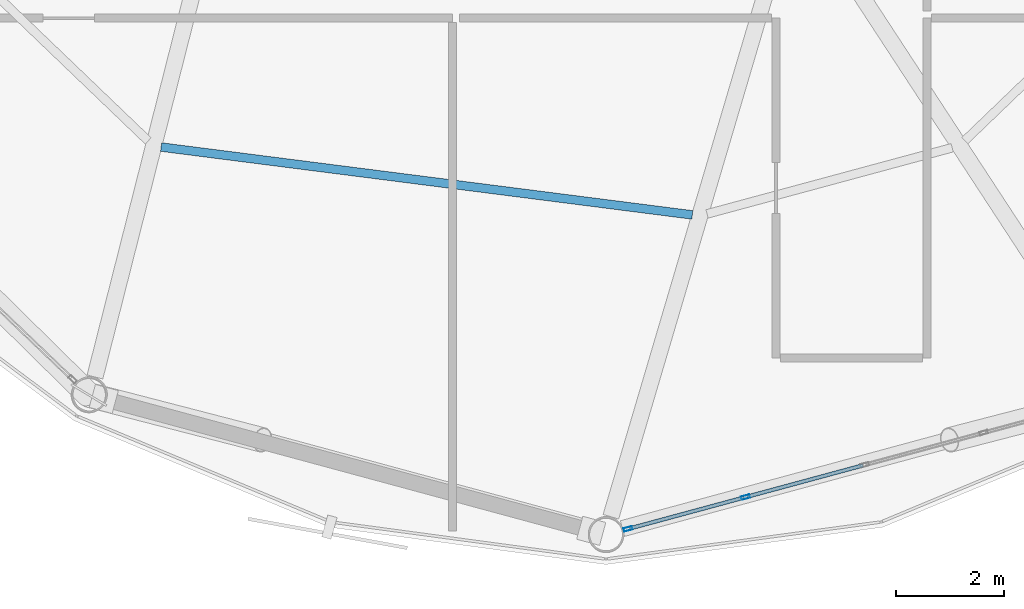
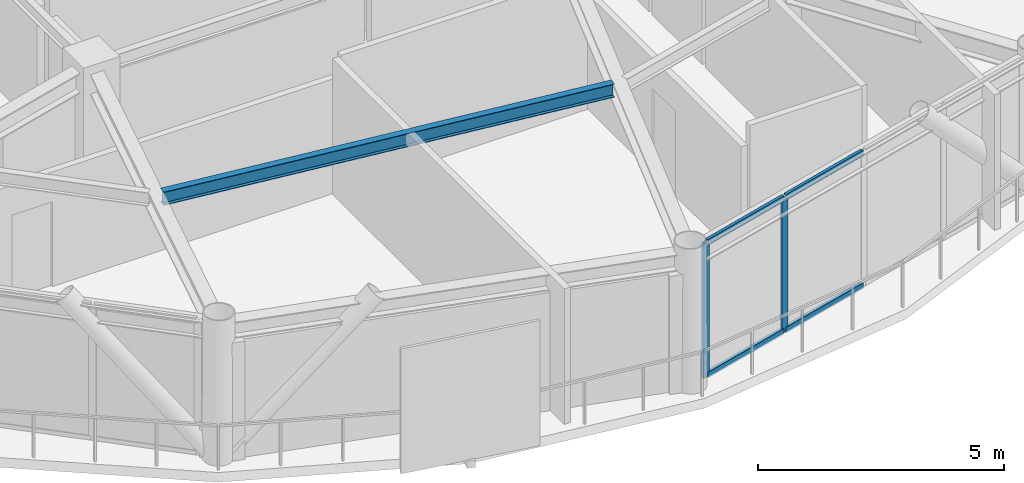
# One storey, part 7 of 28: 6 members, 1 beam, 1 element without a shape of its own.
"""IFC4 building model written with IfcOpenShell, lengths in metres."""

import ifcopenshell
import ifcopenshell.guid

model = None  # the IFC model being written
_history = None  # IfcOwnerHistory: only IFC2X3 demands one
_inside = {}  # id of a spatial element -> (the spatial element, [elements in it])
_under = {}  # id of a project, library or spatial element -> (it, [spatial elements below it])
_declared = {}  # id of a project -> (the project, [libraries it declares])
_typed = {}  # id of a type object -> (the type object, [elements of that type])
_made_of = {}  # id of a material, layer set ... -> (it, [elements and type objects made of it])


def new_model(schema):
    """Start an empty IFC model of exactly this schema.

    Asked for "IFC4X3", IfcOpenShell would pick the latest addendum, in which some entities
    have other attributes; the version numbers below select the first issue.
    IFC2X3 requires an IfcOwnerHistory on every rooted entity: one is made here for all.
    """
    global model, _history
    if schema == "IFC4X3":
        model = ifcopenshell.file(schema_version=(4, 3, 0, 0))
    else:
        model = ifcopenshell.file(schema=schema)
    _inside.clear()
    _under.clear()
    _declared.clear()
    _typed.clear()
    _made_of.clear()
    _history = None
    if model.schema == "IFC2X3":
        org = make("IfcOrganization", Name="unknown")
        user = make(
            "IfcPersonAndOrganization",
            ThePerson=make("IfcPerson", FamilyName="unknown"),
            TheOrganization=org,
        )
        app = make(
            "IfcApplication",
            ApplicationDeveloper=org,
            Version="unknown",
            ApplicationFullName="unknown",
            ApplicationIdentifier="unknown",
        )
        _history = make(
            "IfcOwnerHistory",
            OwningUser=user,
            OwningApplication=app,
            ChangeAction="ADDED",
            CreationDate=0,
        )
    return model


def make(cls, **values):
    """One entity of the class cls with the attributes given. An attribute that is None is left unset."""
    return model.create_entity(
        cls, **{name: value for name, value in values.items() if value is not None}
    )


def rooted(cls, **values):
    """An entity with a GlobalId (a new one), such as an element, a storey or a relation."""
    return make(cls, GlobalId=ifcopenshell.guid.new(), OwnerHistory=_history, **values)


def si_unit(unit_type, name, prefix=None):
    """IfcSIUnit, for example si_unit("LENGTHUNIT", "METRE", prefix="MILLI")."""
    return make("IfcSIUnit", UnitType=unit_type, Prefix=prefix, Name=name)


def assignment(units):
    """IfcUnitAssignment: the units of a project."""
    return None if units is None else make("IfcUnitAssignment", Units=units)


def point(xyz):
    """IfcCartesianPoint."""
    return None if xyz is None else make("IfcCartesianPoint", Coordinates=xyz)


def direction(xyz):
    """IfcDirection."""
    return None if xyz is None else make("IfcDirection", DirectionRatios=xyz)


def frame(location, z_axis=None, x_axis=None):
    """IfcAxis2Placement3D, a coordinate frame: its origin and axes. An axis left out is left unset."""
    return make(
        "IfcAxis2Placement3D",
        Location=point(location),
        Axis=direction(z_axis),
        RefDirection=direction(x_axis),
    )


def frame_2d(location, x_axis=None):
    """IfcAxis2Placement2D, a coordinate frame in the plane: its origin and x axis."""
    return make(
        "IfcAxis2Placement2D", Location=point(location), RefDirection=direction(x_axis)
    )


def origin():
    """The frame at (0, 0, 0) with its axes left unset."""
    return frame((0.0, 0.0, 0.0))


def origin_2d():
    """The frame at (0, 0) in the plane with its x axis left unset."""
    return frame_2d((0.0, 0.0))


def place(relative_to, where):
    """IfcLocalPlacement: puts the frame where relative to a parent placement (None: the world)."""
    return make(
        "IfcLocalPlacement", PlacementRelTo=relative_to, RelativePlacement=where
    )


def context(
    kind, dimensions, precision=None, world=None, true_north=None, identifier=None
):
    """IfcGeometricRepresentationContext, for example the 3D "Model" context."""
    return make(
        "IfcGeometricRepresentationContext",
        ContextIdentifier=identifier,
        ContextType=kind,
        CoordinateSpaceDimension=dimensions,
        Precision=precision,
        WorldCoordinateSystem=world,
        TrueNorth=true_north,
    )


def subcontext(parent, identifier, kind, view, scale=None):
    """IfcGeometricRepresentationSubContext, for example "Body" below "Model"."""
    return make(
        "IfcGeometricRepresentationSubContext",
        ContextIdentifier=identifier,
        ContextType=kind,
        ParentContext=parent,
        TargetScale=scale,
        TargetView=view,
    )


def project(units=None, contexts=None):
    """IfcProject with its units and contexts."""
    return rooted(
        "IfcProject",
        Name="project",
        RepresentationContexts=contexts,
        UnitsInContext=assignment(units),
    )


def spatial(cls, under=None, at=None, **own):
    """A site, building, storey or space (cls), placed at a placement, below another one or the project."""
    s = rooted(cls, ObjectPlacement=at, **own)
    if under is not None:
        _under.setdefault(under.id(), (under, []))[1].append(s)
    return s


def profile(cls, at=None, kind="AREA", **sizes):
    """A parametric profile (cls). Its sizes go by their IFC names, for example OverallWidth=200.0."""
    return make(cls, ProfileType=kind, Position=at, **sizes)


def hollow_rectangle(**sizes):
    """IfcRectangleHollowProfileDef."""
    return profile("IfcRectangleHollowProfileDef", **sizes)


def i_section(**sizes):
    """IfcIShapeProfileDef."""
    return profile("IfcIShapeProfileDef", **sizes)


def extrude(swept, where, along, depth):
    """IfcExtrudedAreaSolid: the profile swept, set in the frame where, extruded along a direction by depth."""
    return make(
        "IfcExtrudedAreaSolid",
        SweptArea=swept,
        Position=where,
        ExtrudedDirection=direction(along),
        Depth=depth,
    )


def shape(context_of_items, identifier, shape_type, items):
    """IfcShapeRepresentation: the items that make up one representation, for example the "Body"."""
    return make(
        "IfcShapeRepresentation",
        ContextOfItems=context_of_items,
        RepresentationIdentifier=identifier,
        RepresentationType=shape_type,
        Items=items,
    )


def material(Name=None, Category=None):
    """IfcMaterial."""
    return make("IfcMaterial", Name=Name, Category=Category)


def layer(
    of_material, thickness, ventilated=None, Name=None, Category=None, Priority=None
):
    """IfcMaterialLayer: one layer of a wall or slab, of a material (None: an air gap)."""
    return make(
        "IfcMaterialLayer",
        Material=of_material,
        LayerThickness=thickness,
        IsVentilated=ventilated,
        Name=Name,
        Category=Category,
        Priority=Priority,
    )


def layer_set(layers, Name=None):
    """IfcMaterialLayerSet."""
    return make("IfcMaterialLayerSet", MaterialLayers=layers, LayerSetName=Name)


def material_profile(
    of_material, cross_section, Name=None, Category=None, Priority=None
):
    """IfcMaterialProfile: a cross section and its material."""
    return make(
        "IfcMaterialProfile",
        Name=Name,
        Material=of_material,
        Profile=cross_section,
        Priority=Priority,
        Category=Category,
    )


def profile_set(profiles, Name=None, composite=None):
    """IfcMaterialProfileSet."""
    return make(
        "IfcMaterialProfileSet",
        Name=Name,
        MaterialProfiles=profiles,
        CompositeProfile=composite,
    )


def made_of(thing, what):
    """Note that an element or type object is made of a material, layer set ...; save() writes the relation."""
    if what is not None:
        _made_of.setdefault(what.id(), (what, []))[1].append(thing)
    return thing


def type_object(cls, material=None, **own):
    """A type object (cls), such as IfcWallType, which elements share."""
    return made_of(rooted(cls, **own), material)


def element(
    cls,
    number,
    at=None,
    inside=None,
    cuts=None,
    type_object=None,
    material=None,
    context=None,
    identifier="Body",
    shape_type=None,
    held_by="IfcProductDefinitionShape",
    body=None,
    shapes=None,
    **own,
):
    """One element of the class cls, such as IfcWall. Its Tag is "e" and its number.

    at: its placement. inside: the storey or other place that contains it. cuts: it is an
    opening in that element (IfcRelVoidsElement). A single representation is given by context,
    identifier, shape_type and body (its items); several are given by shapes. held_by: the class
    of the entity that holds the representations. save() writes the other relations.
    """
    e = rooted(cls, Tag="e%d" % number, ObjectPlacement=at, **own)
    if body is not None:
        shapes = [shape(context, identifier, shape_type, body)]
    if shapes is not None:
        e.Representation = make(held_by, Representations=shapes)
    if inside is not None:
        _inside.setdefault(inside.id(), (inside, []))[1].append(e)
    if cuts is not None:
        rooted(
            "IfcRelVoidsElement", RelatingBuildingElement=cuts, RelatedOpeningElement=e
        )
    if type_object is not None:
        _typed.setdefault(type_object.id(), (type_object, []))[1].append(e)
    return made_of(e, material)


def aggregate(whole, parts):
    """IfcRelAggregates: a whole, such as a stair, and the parts it consists of."""
    return rooted("IfcRelAggregates", RelatingObject=whole, RelatedObjects=parts)


def save(model, path):
    """Write the relations noted so far, then the file.

    IfcRelAggregates (storeys below a building ...), IfcRelContainedInSpatialStructure (elements
    in a storey), IfcRelDefinesByType, IfcRelAssociatesMaterial and IfcRelDeclares: one each for
    every whole, place, type object, material and project.
    """
    for whole, parts in _under.values():
        aggregate(whole, parts)
    for where, things in _inside.values():
        rooted(
            "IfcRelContainedInSpatialStructure",
            RelatedElements=things,
            RelatingStructure=where,
        )
    for kind, things in _typed.values():
        rooted("IfcRelDefinesByType", RelatedObjects=things, RelatingType=kind)
    for what, things in _made_of.values():
        rooted("IfcRelAssociatesMaterial", RelatedObjects=things, RelatingMaterial=what)
    for by, libraries in _declared.values():
        rooted("IfcRelDeclares", RelatingContext=by, RelatedDefinitions=libraries)
    model.write(path)


model = new_model("IFC4")

# Units and contexts
model_context = context("Model", 3, precision=1e-05, world=origin(), true_north=direction((0.0, 1.0)))
body_context = subcontext(model_context, "Body", "Model", "MODEL_VIEW")
ifc_project = project(units=[si_unit("LENGTHUNIT", "METRE"), si_unit("AREAUNIT", "SQUARE_METRE"), si_unit("VOLUMEUNIT", "CUBIC_METRE"), si_unit("PLANEANGLEUNIT", "RADIAN"), si_unit("MASSUNIT", "GRAM", prefix="KILO")], contexts=[model_context])

# Site, building, storey
site_placement = place(None, origin())
site = spatial("IfcSite", under=ifc_project, at=site_placement, CompositionType="ELEMENT")
building_placement = place(site_placement, origin())
building = spatial("IfcBuilding", under=site, at=building_placement, Name="Varnakorn Sky Granary", CompositionType="ELEMENT")
storey_placement = place(building_placement, frame((0.0, 0.0, 204.0)))
storey = spatial("IfcBuildingStorey", under=building, at=storey_placement, Name="L51", CompositionType="ELEMENT", Elevation=204.0)

# Beam
ifc_material_1 = material(Name="Steel S355JR", Category="steel")
ifc_material_profile_1 = material_profile(ifc_material_1, i_section(OverallWidth=0.159912109375, OverallDepth=0.330078125, WebThickness=0.007568359375, FlangeThickness=0.011474609375, at=origin_2d()), Name="IPE 330")
ifc_profile_set_1 = profile_set([ifc_material_profile_1], Name="Steel S355JR")
beam_type = type_object("IfcBeamType", Name="BM-SEC-Z4", PredefinedType="BEAM", material=ifc_profile_set_1)
beam_placement = place(storey_placement, frame((-3.3984375, -11.289794921875, 3.195068359375), z_axis=(0.991937088886, -0.126731257755, 0.0), x_axis=(0.126731257755, 0.991937088886, 0.0)))
element("IfcBeam", 1, at=beam_placement, inside=storey, type_object=beam_type, Name="Secondary Floor Chord Beam MSB09 L51", PredefinedType="BEAM", context=body_context, shape_type="SweptSolid", body=[
    extrude(i_section(OverallWidth=0.159912109375, OverallDepth=0.330078125, WebThickness=0.007568359375, FlangeThickness=0.011474609375, at=origin_2d()), origin(), (0.0, 0.0, 1.0), 9.927001953125),
])

# Curtain wall, members
ifc_material_2 = material(Name="Anodised Bronze Aluminium Alloy 6063-T6", Category="aluminium")
ifc_layer = layer(ifc_material_2, 0.169921875, Name="Anodised Bronze Aluminium Alloy 6063-T6")
ifc_layer_set = layer_set([ifc_layer], Name="Anodised Bronze Aluminium Alloy 6063-T6")
curtain_wall_type = type_object("IfcCurtainWallType", Name="CW-LAB-1", PredefinedType="USERDEFINED", material=ifc_layer_set)
curtain_wall_placement = place(storey_placement, origin())
curtain_wall = element("IfcCurtainWall", 2, at=curtain_wall_placement, inside=storey, type_object=curtain_wall_type, Name="Unitised Curtain Wall CW5 CW-L51-B10", ObjectType="CURTAIN WALL", PredefinedType="USERDEFINED")
ifc_material_profile_2 = material_profile(ifc_material_2, hollow_rectangle(XDim=0.06494140625, YDim=0.159912109375, WallThickness=0.00341796875, at=origin_2d()), Name="ALU MULL 65x160")
ifc_profile_set_2 = profile_set([ifc_material_profile_2], Name="Anodised Bronze Aluminium Alloy 6063-T6")
member_type_1 = type_object("IfcMemberType", Name="CW-LAB-1-MULL", PredefinedType="MULLION", material=ifc_profile_set_2)
member_1_placement = place(storey_placement, frame((7.434814453125, -17.780029296875, 0.0), z_axis=(0.0, 0.0, 1.0), x_axis=(0.261068663342, -0.965320233405, 0.0)))
member_1 = element("IfcMember", 3, at=member_1_placement, type_object=member_type_1, Name="CW5 mullion 4", PredefinedType="MULLION", context=body_context, shape_type="SweptSolid", body=[
    extrude(hollow_rectangle(XDim=0.06494140625, YDim=0.159912109375, WallThickness=0.00341796875, at=origin_2d()), origin(), (0.0, 0.0, 1.0), 3.360107421875),
])
member_2_placement = place(storey_placement, frame((5.2578125, -18.36865234375, 0.0), z_axis=(0.0, 0.0, 1.0), x_axis=(0.261068663342, -0.965320233405, 0.0)))
member_2 = element("IfcMember", 4, at=member_2_placement, type_object=member_type_1, Name="CW5 mullion 5", PredefinedType="MULLION", context=body_context, shape_type="SweptSolid", body=[
    extrude(hollow_rectangle(XDim=0.06494140625, YDim=0.159912109375, WallThickness=0.00341796875, at=origin_2d()), origin(), (0.0, 0.0, 1.0), 3.360107421875),
])
ifc_material_profile_3 = material_profile(ifc_material_2, hollow_rectangle(XDim=0.070068359375, YDim=0.139892578125, WallThickness=0.00341796875, at=origin_2d()), Name="ALU TRAN 70x140")
ifc_profile_set_3 = profile_set([ifc_material_profile_3], Name="Anodised Bronze Aluminium Alloy 6063-T6")
member_type_2 = type_object("IfcMemberType", Name="CW-LAB-1-TRAN", PredefinedType="USERDEFINED", material=ifc_profile_set_3)
member_3_placement = place(storey_placement, frame((9.61181640625, -17.191162109375, 0.034912109375), z_axis=(-0.965311779481, -0.261099920326, 0.0), x_axis=(0.261099920326, -0.965311779481, 0.0)))
member_3 = element("IfcMember", 5, at=member_3_placement, type_object=member_type_2, Name="CW5 transom 3.1", ObjectType="TRANSOM", PredefinedType="USERDEFINED", context=body_context, shape_type="SweptSolid", body=[
    extrude(hollow_rectangle(XDim=0.070068359375, YDim=0.139892578125, WallThickness=0.00341796875, at=origin_2d()), origin(), (0.0, 0.0, 1.0), 2.22265625),
])
member_4_placement = place(storey_placement, frame((9.61181640625, -17.191162109375, 3.324951171875), z_axis=(-0.965311779481, -0.261099920326, 0.0), x_axis=(0.261099920326, -0.965311779481, 0.0)))
member_4 = element("IfcMember", 6, at=member_4_placement, type_object=member_type_2, Name="CW5 transom 3.2", ObjectType="TRANSOM", PredefinedType="USERDEFINED", context=body_context, shape_type="SweptSolid", body=[
    extrude(hollow_rectangle(XDim=0.070068359375, YDim=0.139892578125, WallThickness=0.00341796875, at=origin_2d()), origin(), (0.0, 0.0, 1.0), 2.22265625),
])
member_5_placement = place(storey_placement, frame((7.403564453125, -17.788330078125, 0.034912109375), z_axis=(-0.965294309576, -0.261164499693, 0.0), x_axis=(0.261164499693, -0.965294309576, 0.0)))
member_5 = element("IfcMember", 7, at=member_5_placement, type_object=member_type_2, Name="CW5 transom 4.1", ObjectType="TRANSOM", PredefinedType="USERDEFINED", context=body_context, shape_type="SweptSolid", body=[
    extrude(hollow_rectangle(XDim=0.070068359375, YDim=0.139892578125, WallThickness=0.00341796875, at=origin_2d()), origin(), (0.0, 0.0, 1.0), 2.190185546875),
])
member_6_placement = place(storey_placement, frame((7.403564453125, -17.788330078125, 3.324951171875), z_axis=(-0.965294309576, -0.261164499693, 0.0), x_axis=(0.261164499693, -0.965294309576, 0.0)))
member_6 = element("IfcMember", 8, at=member_6_placement, type_object=member_type_2, Name="CW5 transom 4.2", ObjectType="TRANSOM", PredefinedType="USERDEFINED", context=body_context, shape_type="SweptSolid", body=[
    extrude(hollow_rectangle(XDim=0.070068359375, YDim=0.139892578125, WallThickness=0.00341796875, at=origin_2d()), origin(), (0.0, 0.0, 1.0), 2.190185546875),
])
aggregate(curtain_wall, [member_1, member_2, member_3, member_4, member_5, member_6])

save(model, "model.ifc")
